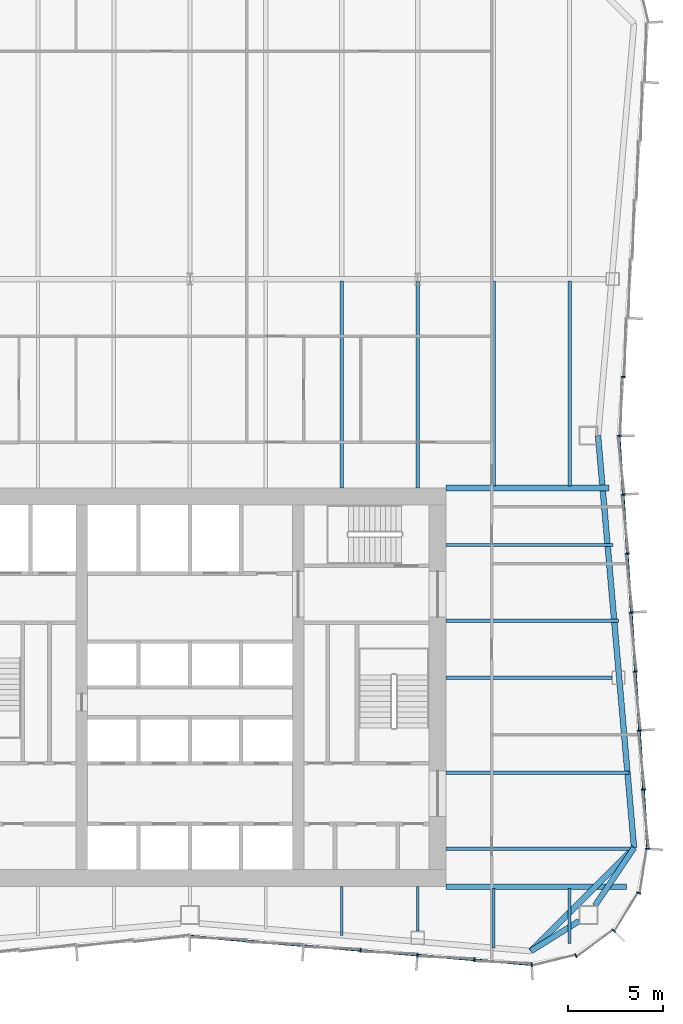
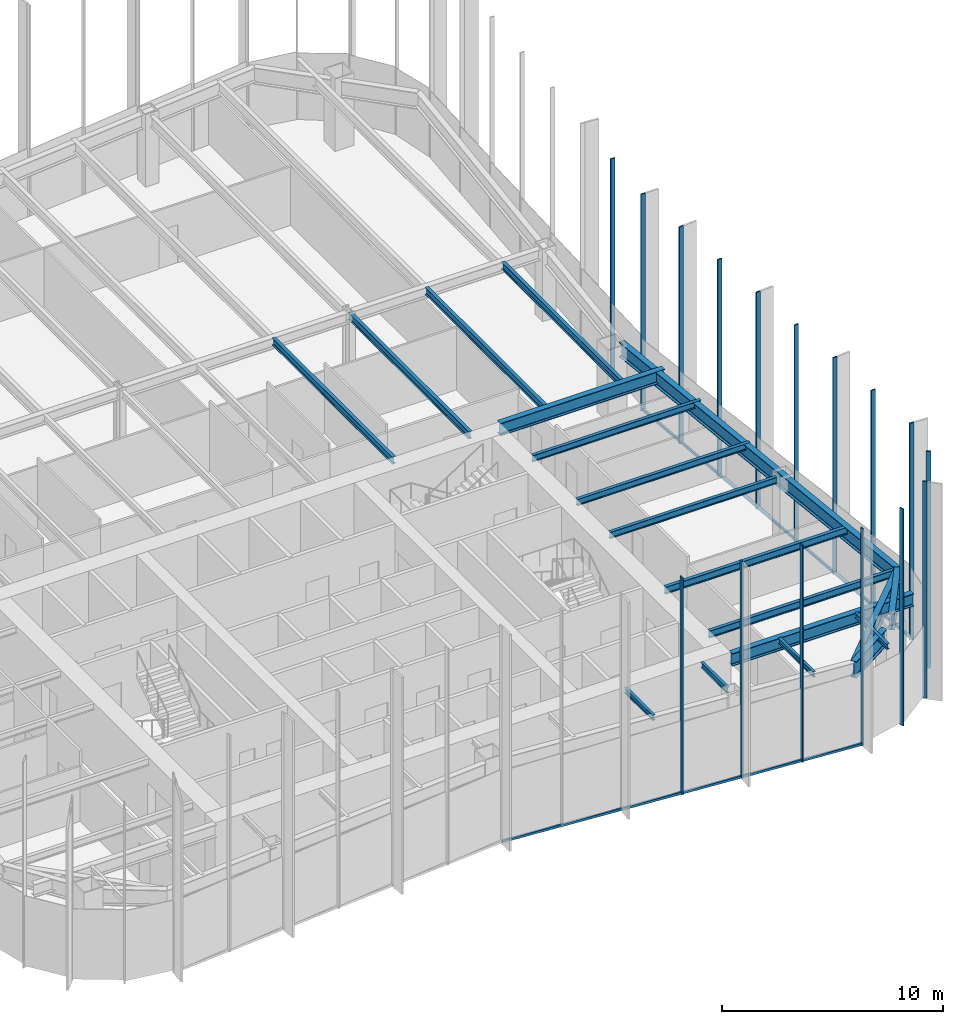
# One storey, part 4 of 13: 19 beams, 18 members, 3 elements without a shape of their own.
"""IFC4 building model written with IfcOpenShell, lengths in metres."""

from ifc_helpers import new_model, si_unit, direction, frame, origin, origin_2d, place, context, subcontext, project, spatial, rectangle, i_section, extrude, material, material_profile, profile_set, type_object, element, aggregate, save


model = new_model("IFC4")

# Units and contexts
model_context = context("Model", 3, precision=1e-05, world=origin(), true_north=direction((0.0, 1.0)))
body_context = subcontext(model_context, "Body", "Model", "MODEL_VIEW")
ifc_project = project(units=[si_unit("LENGTHUNIT", "METRE"), si_unit("AREAUNIT", "SQUARE_METRE"), si_unit("VOLUMEUNIT", "CUBIC_METRE"), si_unit("PLANEANGLEUNIT", "RADIAN"), si_unit("MASSUNIT", "GRAM", prefix="KILO")], contexts=[model_context])

# Site, building, storey
site_placement = place(None, origin())
site = spatial("IfcSite", under=ifc_project, at=site_placement, CompositionType="ELEMENT")
building_placement = place(site_placement, origin())
building = spatial("IfcBuilding", under=site, at=building_placement, Name="Verdant Reach Tower", CompositionType="ELEMENT")
storey_placement = place(building_placement, frame((0.0, 0.0, 182.0)))
storey = spatial("IfcBuildingStorey", under=building, at=storey_placement, Name="L41", CompositionType="ELEMENT", Elevation=182.0)

# Curtain wall, members
ifc_material_1 = material(Name="Anodised aluminium", Category="aluminium")
curtain_wall_type = type_object("IfcCurtainWallType", Name="EN-CW SYSTEM Z3", PredefinedType="NOTDEFINED", material=ifc_material_1)
curtain_wall_1_placement = place(storey_placement, origin())
curtain_wall_1 = element("IfcCurtainWall", 1, at=curtain_wall_1_placement, inside=storey, type_object=curtain_wall_type, Name="Curtain wall south-east corner, L41", PredefinedType="NOTDEFINED")
ifc_material_profile_1 = material_profile(ifc_material_1, rectangle(XDim=0.218017578125, YDim=0.06591796875, at=origin_2d()), Name="Mullion 66x218")
ifc_profile_set_1 = profile_set([ifc_material_profile_1], Name="Anodised aluminium")
member_type_1 = type_object("IfcMemberType", Name="EN-MULLION Z3", PredefinedType="MULLION", material=ifc_profile_set_1)
member_1_placement = place(storey_placement, frame((18.006103515625, 13.39111328125, -0.35009765625), z_axis=(0.0, 0.0, 1.0), x_axis=(0.056569187765, -0.998398681387, 0.0)))
member_1 = element("IfcMember", 2, at=member_1_placement, type_object=member_type_1, Name="Mullion south-east corner 1, L41", PredefinedType="MULLION", context=body_context, shape_type="SweptSolid", body=[
    extrude(rectangle(XDim=0.218017578125, YDim=0.06591796875, at=origin_2d()), origin(), (0.0, 0.0, 1.0), 12.0),
])
member_2_placement = place(storey_placement, frame((20.337890625, 13.85595703125, -0.35009765625), z_axis=(0.0, 0.0, 1.0), x_axis=(0.382693853776, -0.923875215753, 0.0)))
member_2 = element("IfcMember", 3, at=member_2_placement, type_object=member_type_1, Name="Mullion south-east corner 2, L41", PredefinedType="MULLION", context=body_context, shape_type="SweptSolid", body=[
    extrude(rectangle(XDim=0.218017578125, YDim=0.06591796875, at=origin_2d()), origin(), (0.0, 0.0, 1.0), 12.0),
])
member_3_placement = place(storey_placement, frame((22.319580078125, 15.180419921875, -0.35009765625), z_axis=(0.0, 0.0, 1.0), x_axis=(0.707106781187, -0.707106781187, 0.0)))
member_3 = element("IfcMember", 4, at=member_3_placement, type_object=member_type_1, Name="Mullion south-east corner 3, L41", PredefinedType="MULLION", context=body_context, shape_type="SweptSolid", body=[
    extrude(rectangle(XDim=0.218017578125, YDim=0.06591796875, at=origin_2d()), origin(), (0.0, 0.0, 1.0), 12.0),
])
member_4_placement = place(storey_placement, frame((23.64404296875, 17.162109375, -0.35009765625), z_axis=(0.0, 0.0, 1.0), x_axis=(0.923875215753, -0.382693853776, 0.0)))
member_4 = element("IfcMember", 5, at=member_4_placement, type_object=member_type_1, Name="Mullion south-east corner 4, L41", PredefinedType="MULLION", context=body_context, shape_type="SweptSolid", body=[
    extrude(rectangle(XDim=0.218017578125, YDim=0.06591796875, at=origin_2d()), origin(), (0.0, 0.0, 1.0), 12.0),
])
aggregate(curtain_wall_1, [member_1, member_2, member_3, member_4])

curtain_wall_2_placement = place(storey_placement, origin())
curtain_wall_2 = element("IfcCurtainWall", 6, at=curtain_wall_2_placement, inside=storey, type_object=curtain_wall_type, Name="Curtain wall east, L41", PredefinedType="NOTDEFINED")
member_5_placement = place(storey_placement, frame((24.10888671875, 19.4931640625, -0.35009765625), z_axis=(0.0, 0.0, 1.0), x_axis=(0.997969180898, -0.063698618332, 0.0)))
member_5 = element("IfcMember", 7, at=member_5_placement, type_object=member_type_1, Name="Mullion east face part 1 1, L41", PredefinedType="MULLION", context=body_context, shape_type="SweptSolid", body=[
    extrude(rectangle(XDim=0.218017578125, YDim=0.06591796875, at=origin_2d()), origin(), (0.0, 0.0, 1.0), 12.0),
])
member_6_placement = place(storey_placement, frame((23.89453125, 22.61474609375, -0.35009765625), z_axis=(0.0, 0.0, 1.0), x_axis=(0.997630328423, 0.068802091615, 0.0)))
member_6 = element("IfcMember", 8, at=member_6_placement, type_object=member_type_1, Name="Mullion east face part 1 2, L41", PredefinedType="MULLION", context=body_context, shape_type="SweptSolid", body=[
    extrude(rectangle(XDim=0.218017578125, YDim=0.06591796875, at=origin_2d()), origin(), (0.0, 0.0, 1.0), 12.0),
])
member_7_placement = place(storey_placement, frame((23.68017578125, 25.7216796875, -0.35009765625), z_axis=(0.0, 0.0, 1.0), x_axis=(0.997630328423, 0.068802091615, 0.0)))
member_7 = element("IfcMember", 9, at=member_7_placement, type_object=member_type_1, Name="Mullion east face part 1 3, L41", PredefinedType="MULLION", context=body_context, shape_type="SweptSolid", body=[
    extrude(rectangle(XDim=0.218017578125, YDim=0.06591796875, at=origin_2d()), origin(), (0.0, 0.0, 1.0), 12.0),
])
member_8_placement = place(storey_placement, frame((23.4658203125, 28.828857421875, -0.35009765625), z_axis=(0.0, 0.0, 1.0), x_axis=(0.997630328423, 0.068802091615, 0.0)))
member_8 = element("IfcMember", 10, at=member_8_placement, type_object=member_type_1, Name="Mullion east face part 1 4, L41", PredefinedType="MULLION", context=body_context, shape_type="SweptSolid", body=[
    extrude(rectangle(XDim=0.218017578125, YDim=0.06591796875, at=origin_2d()), origin(), (0.0, 0.0, 1.0), 12.0),
])
member_9_placement = place(storey_placement, frame((23.251708984375, 31.93603515625, -0.35009765625), z_axis=(0.0, 0.0, 1.0), x_axis=(0.997630328423, 0.068802091615, 0.0)))
member_9 = element("IfcMember", 11, at=member_9_placement, type_object=member_type_1, Name="Mullion east face part 1 5, L41", PredefinedType="MULLION", context=body_context, shape_type="SweptSolid", body=[
    extrude(rectangle(XDim=0.218017578125, YDim=0.06591796875, at=origin_2d()), origin(), (0.0, 0.0, 1.0), 12.0),
])
member_10_placement = place(storey_placement, frame((23.037353515625, 35.043212890625, -0.35009765625), z_axis=(0.0, 0.0, 1.0), x_axis=(0.997630328423, 0.068802091615, 0.0)))
member_10 = element("IfcMember", 12, at=member_10_placement, type_object=member_type_1, Name="Mullion east face part 1 6, L41", PredefinedType="MULLION", context=body_context, shape_type="SweptSolid", body=[
    extrude(rectangle(XDim=0.218017578125, YDim=0.06591796875, at=origin_2d()), origin(), (0.0, 0.0, 1.0), 12.0),
])
member_11_placement = place(storey_placement, frame((22.822998046875, 38.150390625, -0.35009765625), z_axis=(0.0, 0.0, 1.0), x_axis=(0.997630328423, 0.068802091615, 0.0)))
member_11 = element("IfcMember", 13, at=member_11_placement, type_object=member_type_1, Name="Mullion east face part 1 7, L41", PredefinedType="MULLION", context=body_context, shape_type="SweptSolid", body=[
    extrude(rectangle(XDim=0.218017578125, YDim=0.06591796875, at=origin_2d()), origin(), (0.0, 0.0, 1.0), 12.0),
])
member_12_placement = place(storey_placement, frame((22.60888671875, 41.25, -0.35009765625), z_axis=(0.0, 0.0, 1.0), x_axis=(1.0, 0.0, 0.0)))
member_12 = element("IfcMember", 14, at=member_12_placement, type_object=member_type_1, Name="Mullion east face part 2 1, L41", PredefinedType="MULLION", context=body_context, shape_type="SweptSolid", body=[
    extrude(rectangle(XDim=0.218017578125, YDim=0.06591796875, at=origin_2d()), origin(), (0.0, 0.0, 1.0), 12.0),
])
member_13_placement = place(storey_placement, frame((22.822998046875, 44.349609375, -0.35009765625), z_axis=(0.0, 0.0, 1.0), x_axis=(0.997630328423, -0.068802091615, 0.0)))
member_13 = element("IfcMember", 15, at=member_13_placement, type_object=member_type_1, Name="Mullion east face part 2 2, L41", PredefinedType="MULLION", context=body_context, shape_type="SweptSolid", body=[
    extrude(rectangle(XDim=0.218017578125, YDim=0.06591796875, at=origin_2d()), origin(), (0.0, 0.0, 1.0), 12.0),
])

curtain_wall_3_placement = place(storey_placement, origin())
curtain_wall_3 = element("IfcCurtainWall", 16, at=curtain_wall_3_placement, inside=storey, type_object=curtain_wall_type, Name="Curtain wall south, L41", PredefinedType="NOTDEFINED")
member_14_placement = place(storey_placement, frame((8.990966796875, 14.141357421875, -0.35009765625), z_axis=(0.0, 0.0, 1.0), x_axis=(-0.083045479859, -0.996545758244, 0.0)))
member_14 = element("IfcMember", 17, at=member_14_placement, type_object=member_type_1, Name="Mullion south face part 2 4, L41", PredefinedType="MULLION", context=body_context, shape_type="SweptSolid", body=[
    extrude(rectangle(XDim=0.218017578125, YDim=0.06591796875, at=origin_2d()), origin(), (0.0, 0.0, 1.0), 12.0),
])
member_15_placement = place(storey_placement, frame((11.990966796875, 13.891357421875, -0.35009765625), z_axis=(0.0, 0.0, 1.0), x_axis=(-0.083045479859, -0.996545758244, 0.0)))
member_15 = element("IfcMember", 18, at=member_15_placement, type_object=member_type_1, Name="Mullion south face part 2 5, L41", PredefinedType="MULLION", context=body_context, shape_type="SweptSolid", body=[
    extrude(rectangle(XDim=0.218017578125, YDim=0.06591796875, at=origin_2d()), origin(), (0.0, 0.0, 1.0), 12.0),
])
member_16_placement = place(storey_placement, frame((14.990966796875, 13.641357421875, -0.35009765625), z_axis=(0.0, 0.0, 1.0), x_axis=(-0.083045479859, -0.996545758244, 0.0)))
member_16 = element("IfcMember", 19, at=member_16_placement, type_object=member_type_1, Name="Mullion south face part 2 6, L41", PredefinedType="MULLION", context=body_context, shape_type="SweptSolid", body=[
    extrude(rectangle(XDim=0.218017578125, YDim=0.06591796875, at=origin_2d()), origin(), (0.0, 0.0, 1.0), 12.0),
])

# Member
ifc_material_profile_2 = material_profile(ifc_material_1, rectangle(XDim=0.10009765625, YDim=0.1259765625, at=origin_2d()), Name="Transom 126x100")
ifc_profile_set_2 = profile_set([ifc_material_profile_2], Name="Anodised aluminium")
member_type_2 = type_object("IfcMemberType", Name="EN-TRANSOM Z3", PredefinedType="USERDEFINED", material=ifc_profile_set_2)
member_17_placement = place(storey_placement, frame((24.1064453125, 19.52587890625, -0.287109375), z_axis=(-0.068764326054, 0.997632932226, 0.0), x_axis=(-0.997632932226, -0.068764326054, 0.0)))
member_17 = element("IfcMember", 20, at=member_17_placement, type_object=member_type_2, Name="Transom east face part 1 1.1, L41", ObjectType="TRANSOM", PredefinedType="USERDEFINED", context=body_context, shape_type="SweptSolid", body=[
    extrude(rectangle(XDim=0.10009765625, YDim=0.1259765625, at=origin_2d()), origin(), (0.0, 0.0, 1.0), 21.74267578125),
])

aggregate(curtain_wall_2, [member_5, member_6, member_7, member_8, member_9, member_10, member_11, member_17, member_12, member_13])

member_18_placement = place(storey_placement, frame((0.032958984375, 14.88818359375, -0.287109375), z_axis=(0.996548750467, -0.083009565369, 0.0), x_axis=(0.083009565369, 0.996548750467, 0.0)))
member_18 = element("IfcMember", 21, at=member_18_placement, type_object=member_type_2, Name="Transom south face part 2 1.1, L41", ObjectType="TRANSOM", PredefinedType="USERDEFINED", context=body_context, shape_type="SweptSolid", body=[
    extrude(rectangle(XDim=0.10009765625, YDim=0.1259765625, at=origin_2d()), origin(), (0.0, 0.0, 1.0), 18.00244140625),
])

aggregate(curtain_wall_3, [member_14, member_15, member_16, member_18])

# Beams
ifc_material_2 = material(Name="Steel S355", Category="steel")
ifc_material_profile_3 = material_profile(ifc_material_2, i_section(OverallWidth=0.300048828125, OverallDepth=0.699951171875, WebThickness=0.01708984375, FlangeThickness=0.031982421875, FilletRadius=0.027099609375, at=origin_2d()), Name="HEB 700")
ifc_profile_set_3 = profile_set([ifc_material_profile_3], Name="Steel S355")
beam_type_1 = type_object("IfcBeamType", Name="ST-BEAM-HEB700", PredefinedType="BEAM", material=ifc_profile_set_3)
beam_1_placement = place(storey_placement, frame((13.5, 38.5, 3.52001953125), z_axis=(1.0, 0.0, 0.0), x_axis=(0.0, 1.0, 0.0)))
element("IfcBeam", 22, at=beam_1_placement, inside=storey, type_object=beam_type_1, Name="Trimmer beam, L41", PredefinedType="BEAM", context=body_context, shape_type="SweptSolid", body=[
    extrude(i_section(OverallWidth=0.300048828125, OverallDepth=0.699951171875, WebThickness=0.01708984375, FlangeThickness=0.031982421875, FilletRadius=0.027099609375, at=origin_2d()), origin(), (0.0, 0.0, 1.0), 8.588134765625),
])
beam_2_placement = place(storey_placement, frame((13.5, 17.5, 3.52001953125), z_axis=(1.0, 0.0, 0.0), x_axis=(0.0, 1.0, 0.0)))
element("IfcBeam", 23, at=beam_2_placement, inside=storey, type_object=beam_type_1, Name="Trimmer beam, L41", PredefinedType="BEAM", context=body_context, shape_type="SweptSolid", body=[
    extrude(i_section(OverallWidth=0.300048828125, OverallDepth=0.699951171875, WebThickness=0.01708984375, FlangeThickness=0.031982421875, FilletRadius=0.027099609375, at=origin_2d()), origin(), (0.0, 0.0, 1.0), 9.490478515625),
])
ifc_material_profile_4 = material_profile(ifc_material_2, i_section(OverallWidth=0.302001953125, OverallDepth=0.909912109375, WebThickness=0.02099609375, FlangeThickness=0.0400390625, FilletRadius=0.030029296875, at=origin_2d()), Name="HEM 900")
ifc_profile_set_4 = profile_set([ifc_material_profile_4], Name="Steel S355")
beam_type_2 = type_object("IfcBeamType", Name="ST-BEAM-HEM900", PredefinedType="BEAM", material=ifc_profile_set_4)
beam_3_placement = place(storey_placement, frame((20.5, 15.687744140625, 3.4150390625), z_axis=(-0.848163521635, -0.529734500073, 0.0), x_axis=(0.529734500073, -0.848163521635, 0.0)))
element("IfcBeam", 24, at=beam_3_placement, inside=storey, type_object=beam_type_2, Name="Column stub beam, L41", PredefinedType="BEAM", context=body_context, shape_type="SweptSolid", body=[
    extrude(i_section(OverallWidth=0.302001953125, OverallDepth=0.909912109375, WebThickness=0.02099609375, FlangeThickness=0.0400390625, FilletRadius=0.030029296875, at=origin_2d()), origin(), (0.0, 0.0, 1.0), 2.98779296875),
])
beam_4_placement = place(storey_placement, frame((21.33837890625, 16.5, 3.4150390625), z_axis=(0.560703975309, 0.828016335631, 0.0), x_axis=(-0.828016335631, 0.560703975309, 0.0)))
element("IfcBeam", 25, at=beam_4_placement, inside=storey, type_object=beam_type_2, Name="Column stub beam, L41", PredefinedType="BEAM", context=body_context, shape_type="SweptSolid", body=[
    extrude(i_section(OverallWidth=0.302001953125, OverallDepth=0.909912109375, WebThickness=0.02099609375, FlangeThickness=0.0400390625, FilletRadius=0.030029296875, at=origin_2d()), origin(), (0.0, 0.0, 1.0), 3.669677734375),
])
ifc_material_profile_5 = material_profile(ifc_material_2, i_section(OverallWidth=0.14990234375, OverallDepth=0.300048828125, WebThickness=0.007080078125, FlangeThickness=0.0107421875, FilletRadius=0.014892578125, at=origin_2d()), Name="IPE 300")
ifc_profile_set_5 = profile_set([ifc_material_profile_5], Name="Steel S355")
beam_type_3 = type_object("IfcBeamType", Name="ST-JOIST-IPE300", PredefinedType="JOIST", material=ifc_profile_set_5)
beam_5_placement = place(storey_placement, frame((8.0, 17.5, 3.719970703125), z_axis=(0.0, -1.0, 0.0), x_axis=(1.0, 0.0, 0.0)))
element("IfcBeam", 26, at=beam_5_placement, inside=storey, type_object=beam_type_3, Name="Floor joist, L41", PredefinedType="JOIST", context=body_context, shape_type="SweptSolid", body=[
    extrude(i_section(OverallWidth=0.14990234375, OverallDepth=0.300048828125, WebThickness=0.007080078125, FlangeThickness=0.0107421875, FilletRadius=0.014892578125, at=origin_2d()), origin(), (0.0, 0.0, 1.0), 2.564697265625),
])
beam_6_placement = place(storey_placement, frame((12.0, 17.5, 3.719970703125), z_axis=(0.0, -1.0, 0.0), x_axis=(1.0, 0.0, 0.0)))
element("IfcBeam", 27, at=beam_6_placement, inside=storey, type_object=beam_type_3, Name="Floor joist, L41", PredefinedType="JOIST", context=body_context, shape_type="SweptSolid", body=[
    extrude(i_section(OverallWidth=0.14990234375, OverallDepth=0.300048828125, WebThickness=0.007080078125, FlangeThickness=0.0107421875, FilletRadius=0.014892578125, at=origin_2d()), origin(), (0.0, 0.0, 1.0), 2.35009765625),
])
beam_7_placement = place(storey_placement, frame((16.0, 17.39990234375, 3.719970703125), z_axis=(0.0, -1.0, 0.0), x_axis=(1.0, 0.0, 0.0)))
element("IfcBeam", 28, at=beam_7_placement, inside=storey, type_object=beam_type_3, Name="Floor joist, L41", PredefinedType="JOIST", context=body_context, shape_type="SweptSolid", body=[
    extrude(i_section(OverallWidth=0.14990234375, OverallDepth=0.300048828125, WebThickness=0.007080078125, FlangeThickness=0.0107421875, FilletRadius=0.014892578125, at=origin_2d()), origin(), (0.0, 0.0, 1.0), 3.131103515625),
])
beam_8_placement = place(storey_placement, frame((20.0, 17.39990234375, 3.719970703125), z_axis=(0.0, -1.0, 0.0), x_axis=(1.0, 0.0, 0.0)))
element("IfcBeam", 29, at=beam_8_placement, inside=storey, type_object=beam_type_3, Name="Floor joist, L41", PredefinedType="JOIST", context=body_context, shape_type="SweptSolid", body=[
    extrude(i_section(OverallWidth=0.14990234375, OverallDepth=0.300048828125, WebThickness=0.007080078125, FlangeThickness=0.0107421875, FilletRadius=0.014892578125, at=origin_2d()), origin(), (0.0, 0.0, 1.0), 2.890380859375),
])
ifc_material_profile_6 = material_profile(ifc_material_2, i_section(OverallWidth=0.169921875, OverallDepth=0.360107421875, WebThickness=0.008056640625, FlangeThickness=0.0126953125, FilletRadius=0.01806640625, at=origin_2d()), Name="IPE 360")
ifc_profile_set_6 = profile_set([ifc_material_profile_6], Name="Steel S355")
beam_type_4 = type_object("IfcBeamType", Name="ST-JOIST-IPE360", PredefinedType="JOIST", material=ifc_profile_set_6)
beam_9_placement = place(storey_placement, frame((13.5, 28.5, 3.68994140625), z_axis=(1.0, 0.0, 0.0), x_axis=(0.0, 1.0, 0.0)))
element("IfcBeam", 30, at=beam_9_placement, inside=storey, type_object=beam_type_4, Name="Floor joist, L41", PredefinedType="JOIST", context=body_context, shape_type="SweptSolid", body=[
    extrude(i_section(OverallWidth=0.169921875, OverallDepth=0.360107421875, WebThickness=0.008056640625, FlangeThickness=0.0126953125, FilletRadius=0.01806640625, at=origin_2d()), origin(), (0.0, 0.0, 1.0), 8.729248046875),
])
beam_10_placement = place(storey_placement, frame((13.5, 31.5, 3.68994140625), z_axis=(1.0, 0.0, 0.0), x_axis=(0.0, 1.0, 0.0)))
element("IfcBeam", 31, at=beam_10_placement, inside=storey, type_object=beam_type_4, Name="Floor joist, L41", PredefinedType="JOIST", context=body_context, shape_type="SweptSolid", body=[
    extrude(i_section(OverallWidth=0.169921875, OverallDepth=0.360107421875, WebThickness=0.008056640625, FlangeThickness=0.0126953125, FilletRadius=0.01806640625, at=origin_2d()), origin(), (0.0, 0.0, 1.0), 9.071044921875),
])
beam_11_placement = place(storey_placement, frame((13.5, 35.5, 3.68994140625), z_axis=(1.0, 0.0, 0.0), x_axis=(0.0, 1.0, 0.0)))
element("IfcBeam", 32, at=beam_11_placement, inside=storey, type_object=beam_type_4, Name="Floor joist, L41", PredefinedType="JOIST", context=body_context, shape_type="SweptSolid", body=[
    extrude(i_section(OverallWidth=0.169921875, OverallDepth=0.360107421875, WebThickness=0.008056640625, FlangeThickness=0.0126953125, FilletRadius=0.01806640625, at=origin_2d()), origin(), (0.0, 0.0, 1.0), 8.795166015625),
])
ifc_material_profile_7 = material_profile(ifc_material_2, i_section(OverallWidth=0.179931640625, OverallDepth=0.39990234375, WebThickness=0.008544921875, FlangeThickness=0.013427734375, FilletRadius=0.02099609375, at=origin_2d()), Name="IPE 400")
ifc_profile_set_7 = profile_set([ifc_material_profile_7], Name="Steel S355")
beam_type_5 = type_object("IfcBeamType", Name="ST-JOIST-IPE400", PredefinedType="JOIST", material=ifc_profile_set_7)
for number, where, z_axis, x_axis, name in (
    (33, (8.0, 38.5, 3.669921875), (0.0, 1.0, 0.0), (-1.0, 0.0, 0.0), "Floor joist, L41"),
    (34, (12.0, 38.5, 3.669921875), (0.0, 1.0, 0.0), (-1.0, 0.0, 0.0), "Floor joist, L41"),
):
    element("IfcBeam", number, at=place(storey_placement, frame(where, z_axis=z_axis, x_axis=x_axis)), inside=storey, type_object=beam_type_5, Name=name, PredefinedType="JOIST", context=body_context, shape_type="SweptSolid", body=[
        extrude(i_section(OverallWidth=0.179931640625, OverallDepth=0.39990234375, WebThickness=0.008544921875, FlangeThickness=0.013427734375, FilletRadius=0.02099609375, at=origin_2d()), origin(), (0.0, 0.0, 1.0), 10.89990234375),
    ])
for number, where, z_axis, x_axis, name in (
    (35, (16.0, 38.60009765625, 3.669921875), (0.0, 1.0, 0.0), (-1.0, 0.0, 0.0), "Floor joist, L41"),
    (36, (20.0, 38.60009765625, 3.669921875), (0.0, 1.0, 0.0), (-1.0, 0.0, 0.0), "Floor joist, L41"),
):
    element("IfcBeam", number, at=place(storey_placement, frame(where, z_axis=z_axis, x_axis=x_axis)), inside=storey, type_object=beam_type_5, Name=name, PredefinedType="JOIST", context=body_context, shape_type="SweptSolid", body=[
        extrude(i_section(OverallWidth=0.179931640625, OverallDepth=0.39990234375, WebThickness=0.008544921875, FlangeThickness=0.013427734375, FilletRadius=0.02099609375, at=origin_2d()), origin(), (0.0, 0.0, 1.0), 10.7998046875),
    ])
beam_12_placement = place(storey_placement, frame((13.5, 19.5, 3.669921875), z_axis=(1.0, 0.0, 0.0), x_axis=(0.0, 1.0, 0.0)))
element("IfcBeam", 37, at=beam_12_placement, inside=storey, type_object=beam_type_5, Name="Floor joist, L41", PredefinedType="JOIST", context=body_context, shape_type="SweptSolid", body=[
    extrude(i_section(OverallWidth=0.179931640625, OverallDepth=0.39990234375, WebThickness=0.008544921875, FlangeThickness=0.013427734375, FilletRadius=0.02099609375, at=origin_2d()), origin(), (0.0, 0.0, 1.0), 9.88818359375),
])
beam_13_placement = place(storey_placement, frame((13.5, 23.5, 3.669921875), z_axis=(1.0, 0.0, 0.0), x_axis=(0.0, 1.0, 0.0)))
element("IfcBeam", 38, at=beam_13_placement, inside=storey, type_object=beam_type_5, Name="Floor joist, L41", PredefinedType="JOIST", context=body_context, shape_type="SweptSolid", body=[
    extrude(i_section(OverallWidth=0.179931640625, OverallDepth=0.39990234375, WebThickness=0.008544921875, FlangeThickness=0.013427734375, FilletRadius=0.02099609375, at=origin_2d()), origin(), (0.0, 0.0, 1.0), 9.622802734375),
])
ifc_material_profile_8 = material_profile(ifc_material_2, i_section(OverallWidth=0.300048828125, OverallDepth=0.800048828125, WebThickness=0.017578125, FlangeThickness=0.032958984375, FilletRadius=0.030029296875, at=origin_2d()), Name="HEB 800")
ifc_profile_set_8 = profile_set([ifc_material_profile_8], Name="Steel S355")
beam_type_6 = type_object("IfcBeamType", Name="ST-SPANDREL-HEB800", PredefinedType="SPANDREL", material=ifc_profile_set_8)
beam_14_placement = place(storey_placement, frame((21.5, 41.25, 3.469970703125), z_axis=(0.086996024331, -0.996208658741, 0.0), x_axis=(0.996208658741, 0.086996024331, 0.0)))
element("IfcBeam", 39, at=beam_14_placement, inside=storey, type_object=beam_type_6, Name="Edge beam, L41", PredefinedType="SPANDREL", context=body_context, shape_type="SweptSolid", body=[
    extrude(i_section(OverallWidth=0.300048828125, OverallDepth=0.800048828125, WebThickness=0.017578125, FlangeThickness=0.032958984375, FilletRadius=0.030029296875, at=origin_2d()), origin(), (0.0, 0.0, 1.0), 21.7939453125),
])
ifc_material_profile_9 = material_profile(ifc_material_2, i_section(OverallWidth=0.302001953125, OverallDepth=0.909912109375, WebThickness=0.02099609375, FlangeThickness=0.0400390625, FilletRadius=0.030029296875, at=origin_2d()), Name="HEM 900")
ifc_profile_set_9 = profile_set([ifc_material_profile_9], Name="Steel S355")
beam_type_7 = type_object("IfcBeamType", Name="ST-SPANDREL-HEM900", PredefinedType="SPANDREL", material=ifc_profile_set_9)
beam_15_placement = place(storey_placement, frame((23.39599609375, 19.53857421875, 3.4150390625), z_axis=(-0.706884275642, -0.707329216738, 0.0), x_axis=(0.707329216738, -0.706884275642, 0.0)))
element("IfcBeam", 40, at=beam_15_placement, inside=storey, type_object=beam_type_7, Name="Edge beam, L41", PredefinedType="SPANDREL", context=body_context, shape_type="SweptSolid", body=[
    extrude(i_section(OverallWidth=0.302001953125, OverallDepth=0.909912109375, WebThickness=0.02099609375, FlangeThickness=0.0400390625, FilletRadius=0.030029296875, at=origin_2d()), origin(), (0.0, 0.0, 1.0), 7.681884765625),
])

save(model, "model.ifc")
